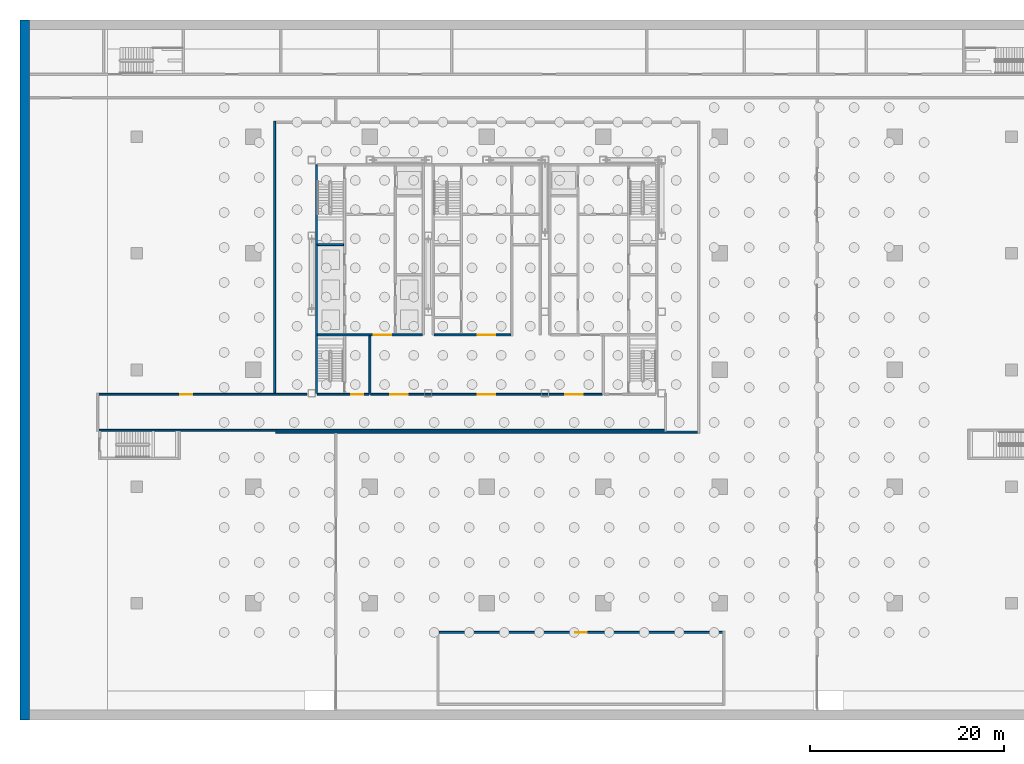
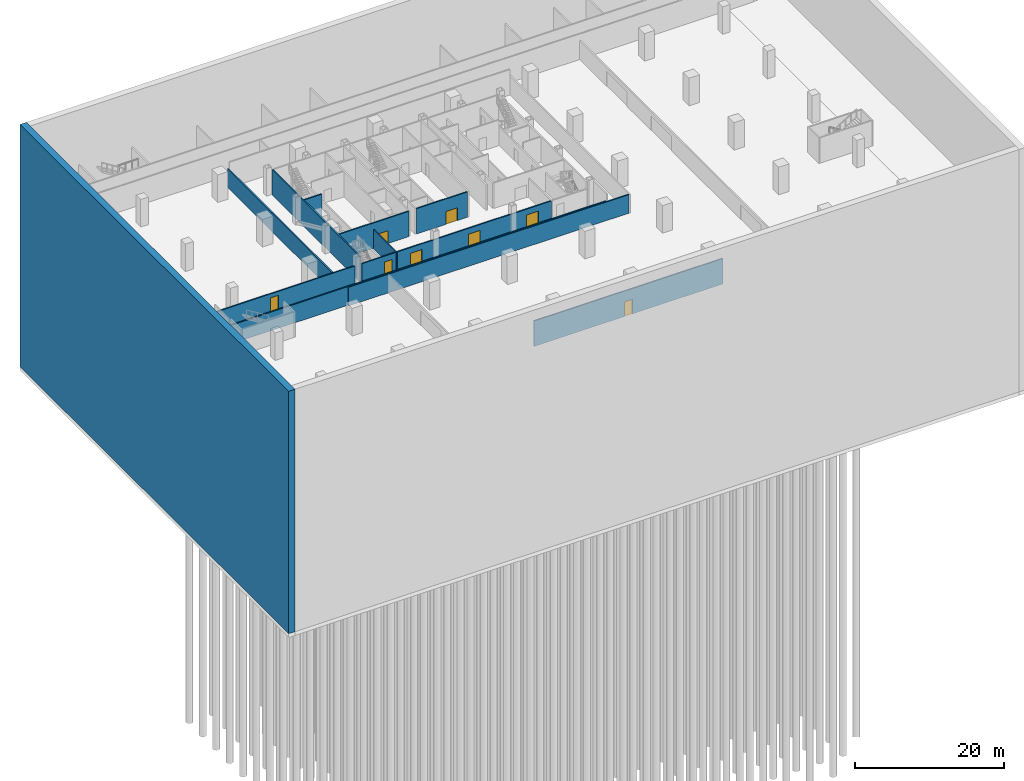
# One storey, part 6 of 18: 13 walls, 8 doors, 8 openings.
"""IFC4 building model written with IfcOpenShell, lengths in metres."""

import ifcopenshell
import ifcopenshell.guid

model = None  # the IFC model being written
_history = None  # IfcOwnerHistory: only IFC2X3 demands one
_inside = {}  # id of a spatial element -> (the spatial element, [elements in it])
_under = {}  # id of a project, library or spatial element -> (it, [spatial elements below it])
_declared = {}  # id of a project -> (the project, [libraries it declares])
_typed = {}  # id of a type object -> (the type object, [elements of that type])
_made_of = {}  # id of a material, layer set ... -> (it, [elements and type objects made of it])


def new_model(schema):
    """Start an empty IFC model of exactly this schema.

    Asked for "IFC4X3", IfcOpenShell would pick the latest addendum, in which some entities
    have other attributes; the version numbers below select the first issue.
    IFC2X3 requires an IfcOwnerHistory on every rooted entity: one is made here for all.
    """
    global model, _history
    if schema == "IFC4X3":
        model = ifcopenshell.file(schema_version=(4, 3, 0, 0))
    else:
        model = ifcopenshell.file(schema=schema)
    _inside.clear()
    _under.clear()
    _declared.clear()
    _typed.clear()
    _made_of.clear()
    _history = None
    if model.schema == "IFC2X3":
        org = make("IfcOrganization", Name="unknown")
        user = make(
            "IfcPersonAndOrganization",
            ThePerson=make("IfcPerson", FamilyName="unknown"),
            TheOrganization=org,
        )
        app = make(
            "IfcApplication",
            ApplicationDeveloper=org,
            Version="unknown",
            ApplicationFullName="unknown",
            ApplicationIdentifier="unknown",
        )
        _history = make(
            "IfcOwnerHistory",
            OwningUser=user,
            OwningApplication=app,
            ChangeAction="ADDED",
            CreationDate=0,
        )
    return model


def make(cls, **values):
    """One entity of the class cls with the attributes given. An attribute that is None is left unset."""
    return model.create_entity(
        cls, **{name: value for name, value in values.items() if value is not None}
    )


def rooted(cls, **values):
    """An entity with a GlobalId (a new one), such as an element, a storey or a relation."""
    return make(cls, GlobalId=ifcopenshell.guid.new(), OwnerHistory=_history, **values)


def si_unit(unit_type, name, prefix=None):
    """IfcSIUnit, for example si_unit("LENGTHUNIT", "METRE", prefix="MILLI")."""
    return make("IfcSIUnit", UnitType=unit_type, Prefix=prefix, Name=name)


def assignment(units):
    """IfcUnitAssignment: the units of a project."""
    return None if units is None else make("IfcUnitAssignment", Units=units)


def point(xyz):
    """IfcCartesianPoint."""
    return None if xyz is None else make("IfcCartesianPoint", Coordinates=xyz)


def direction(xyz):
    """IfcDirection."""
    return None if xyz is None else make("IfcDirection", DirectionRatios=xyz)


def frame(location, z_axis=None, x_axis=None):
    """IfcAxis2Placement3D, a coordinate frame: its origin and axes. An axis left out is left unset."""
    return make(
        "IfcAxis2Placement3D",
        Location=point(location),
        Axis=direction(z_axis),
        RefDirection=direction(x_axis),
    )


def frame_2d(location, x_axis=None):
    """IfcAxis2Placement2D, a coordinate frame in the plane: its origin and x axis."""
    return make(
        "IfcAxis2Placement2D", Location=point(location), RefDirection=direction(x_axis)
    )


def origin():
    """The frame at (0, 0, 0) with its axes left unset."""
    return frame((0.0, 0.0, 0.0))


def place(relative_to, where):
    """IfcLocalPlacement: puts the frame where relative to a parent placement (None: the world)."""
    return make(
        "IfcLocalPlacement", PlacementRelTo=relative_to, RelativePlacement=where
    )


def context(
    kind, dimensions, precision=None, world=None, true_north=None, identifier=None
):
    """IfcGeometricRepresentationContext, for example the 3D "Model" context."""
    return make(
        "IfcGeometricRepresentationContext",
        ContextIdentifier=identifier,
        ContextType=kind,
        CoordinateSpaceDimension=dimensions,
        Precision=precision,
        WorldCoordinateSystem=world,
        TrueNorth=true_north,
    )


def subcontext(parent, identifier, kind, view, scale=None):
    """IfcGeometricRepresentationSubContext, for example "Body" below "Model"."""
    return make(
        "IfcGeometricRepresentationSubContext",
        ContextIdentifier=identifier,
        ContextType=kind,
        ParentContext=parent,
        TargetScale=scale,
        TargetView=view,
    )


def project(units=None, contexts=None):
    """IfcProject with its units and contexts."""
    return rooted(
        "IfcProject",
        Name="project",
        RepresentationContexts=contexts,
        UnitsInContext=assignment(units),
    )


def spatial(cls, under=None, at=None, **own):
    """A site, building, storey or space (cls), placed at a placement, below another one or the project."""
    s = rooted(cls, ObjectPlacement=at, **own)
    if under is not None:
        _under.setdefault(under.id(), (under, []))[1].append(s)
    return s


def profile(cls, at=None, kind="AREA", **sizes):
    """A parametric profile (cls). Its sizes go by their IFC names, for example OverallWidth=200.0."""
    return make(cls, ProfileType=kind, Position=at, **sizes)


def rectangle(**sizes):
    """IfcRectangleProfileDef."""
    return profile("IfcRectangleProfileDef", **sizes)


def extrude(swept, where, along, depth):
    """IfcExtrudedAreaSolid: the profile swept, set in the frame where, extruded along a direction by depth."""
    return make(
        "IfcExtrudedAreaSolid",
        SweptArea=swept,
        Position=where,
        ExtrudedDirection=direction(along),
        Depth=depth,
    )


def shape(context_of_items, identifier, shape_type, items):
    """IfcShapeRepresentation: the items that make up one representation, for example the "Body"."""
    return make(
        "IfcShapeRepresentation",
        ContextOfItems=context_of_items,
        RepresentationIdentifier=identifier,
        RepresentationType=shape_type,
        Items=items,
    )


def material(Name=None, Category=None):
    """IfcMaterial."""
    return make("IfcMaterial", Name=Name, Category=Category)


def layer(
    of_material, thickness, ventilated=None, Name=None, Category=None, Priority=None
):
    """IfcMaterialLayer: one layer of a wall or slab, of a material (None: an air gap)."""
    return make(
        "IfcMaterialLayer",
        Material=of_material,
        LayerThickness=thickness,
        IsVentilated=ventilated,
        Name=Name,
        Category=Category,
        Priority=Priority,
    )


def layer_set(layers, Name=None):
    """IfcMaterialLayerSet."""
    return make("IfcMaterialLayerSet", MaterialLayers=layers, LayerSetName=Name)


def made_of(thing, what):
    """Note that an element or type object is made of a material, layer set ...; save() writes the relation."""
    if what is not None:
        _made_of.setdefault(what.id(), (what, []))[1].append(thing)
    return thing


def type_object(cls, material=None, **own):
    """A type object (cls), such as IfcWallType, which elements share."""
    return made_of(rooted(cls, **own), material)


def element(
    cls,
    number,
    at=None,
    inside=None,
    cuts=None,
    type_object=None,
    material=None,
    context=None,
    identifier="Body",
    shape_type=None,
    held_by="IfcProductDefinitionShape",
    body=None,
    shapes=None,
    **own,
):
    """One element of the class cls, such as IfcWall. Its Tag is "e" and its number.

    at: its placement. inside: the storey or other place that contains it. cuts: it is an
    opening in that element (IfcRelVoidsElement). A single representation is given by context,
    identifier, shape_type and body (its items); several are given by shapes. held_by: the class
    of the entity that holds the representations. save() writes the other relations.
    """
    e = rooted(cls, Tag="e%d" % number, ObjectPlacement=at, **own)
    if body is not None:
        shapes = [shape(context, identifier, shape_type, body)]
    if shapes is not None:
        e.Representation = make(held_by, Representations=shapes)
    if inside is not None:
        _inside.setdefault(inside.id(), (inside, []))[1].append(e)
    if cuts is not None:
        rooted(
            "IfcRelVoidsElement", RelatingBuildingElement=cuts, RelatedOpeningElement=e
        )
    if type_object is not None:
        _typed.setdefault(type_object.id(), (type_object, []))[1].append(e)
    return made_of(e, material)


def fill(opening, filler):
    """IfcRelFillsElement: the door or window that sits in an opening."""
    return rooted(
        "IfcRelFillsElement",
        RelatingOpeningElement=opening,
        RelatedBuildingElement=filler,
    )


def aggregate(whole, parts):
    """IfcRelAggregates: a whole, such as a stair, and the parts it consists of."""
    return rooted("IfcRelAggregates", RelatingObject=whole, RelatedObjects=parts)


def save(model, path):
    """Write the relations noted so far, then the file.

    IfcRelAggregates (storeys below a building ...), IfcRelContainedInSpatialStructure (elements
    in a storey), IfcRelDefinesByType, IfcRelAssociatesMaterial and IfcRelDeclares: one each for
    every whole, place, type object, material and project.
    """
    for whole, parts in _under.values():
        aggregate(whole, parts)
    for where, things in _inside.values():
        rooted(
            "IfcRelContainedInSpatialStructure",
            RelatedElements=things,
            RelatingStructure=where,
        )
    for kind, things in _typed.values():
        rooted("IfcRelDefinesByType", RelatedObjects=things, RelatingType=kind)
    for what, things in _made_of.values():
        rooted("IfcRelAssociatesMaterial", RelatedObjects=things, RelatingMaterial=what)
    for by, libraries in _declared.values():
        rooted("IfcRelDeclares", RelatingContext=by, RelatedDefinitions=libraries)
    model.write(path)


model = new_model("IFC4")

# Units and contexts
model_context = context("Model", 3, precision=1e-05, world=origin(), true_north=direction((0.0, 1.0)))
body_context = subcontext(model_context, "Body", "Model", "MODEL_VIEW")
ifc_project = project(units=[si_unit("LENGTHUNIT", "METRE"), si_unit("AREAUNIT", "SQUARE_METRE"), si_unit("VOLUMEUNIT", "CUBIC_METRE"), si_unit("PLANEANGLEUNIT", "RADIAN"), si_unit("MASSUNIT", "GRAM", prefix="KILO")], contexts=[model_context])

# Site, building, storey
site_placement = place(None, origin())
site = spatial("IfcSite", under=ifc_project, at=site_placement, CompositionType="ELEMENT")
building_placement = place(site_placement, origin())
building = spatial("IfcBuilding", under=site, at=building_placement, Name="Sorahane Residences", CompositionType="ELEMENT")
storey_placement = place(building_placement, frame((0.0, 0.0, -13.5)))
storey = spatial("IfcBuildingStorey", under=building, at=storey_placement, Name="B3", CompositionType="ELEMENT", Elevation=-13.5)

# Walls
ifc_material_1 = material(Name="Concrete C30", Category="concrete")
ifc_layer_1 = layer(ifc_material_1, 0.199951171875)
ifc_layer_set_1 = layer_set([ifc_layer_1], Name="Core face wall 200 EI 180")
wall_type_1 = type_object("IfcWallType", Name="Core face wall 200 EI 180", PredefinedType="SOLIDWALL", material=ifc_layer_set_1)
wall_1_placement = place(storey_placement, frame((6.5, 21.60009765625, 0.0), z_axis=(0.0, 0.0, 1.0), x_axis=(0.0, 1.0, 0.0)))
element("IfcWall", 1, at=wall_1_placement, inside=storey, type_object=wall_type_1, Name="B3 core face wall", PredefinedType="SOLIDWALL", context=body_context, shape_type="SweptSolid", body=[
    extrude(rectangle(XDim=23.5, YDim=0.199951171875, at=frame_2d((11.75, 0.0))), origin(), (0.0, 0.0, 1.0), 4.14990234375),
])
ifc_material_2 = material(Name="Concrete C40", Category="concrete")
ifc_layer_2 = layer(ifc_material_2, 1.0)
ifc_layer_set_2 = layer_set([ifc_layer_2], Name="Diaphragm wall 1000 mm Concrete C40")
wall_type_2 = type_object("IfcWallType", Name="Diaphragm wall 1000 mm Concrete C40", PredefinedType="SOLIDWALL", material=ifc_layer_set_2)
wall_2_placement = place(storey_placement, frame((-23.5, -12.0, -26.5), z_axis=(0.0, 0.0, 1.0), x_axis=(0.0, 1.0, 0.0)))
element("IfcWall", 2, at=wall_2_placement, inside=storey, type_object=wall_type_2, Name="Diaphragm wall west", PredefinedType="SOLIDWALL", context=body_context, shape_type="SweptSolid", body=[
    extrude(rectangle(XDim=72.0, YDim=1.0, at=frame_2d((36.0, 0.0))), origin(), (0.0, 0.0, 1.0), 39.639892578125),
])
ifc_material_3 = material(Name="Concrete blockwork C20 wall", Category="masonry")
ifc_layer_3 = layer(ifc_material_3, 0.199951171875)
ifc_layer_set_3 = layer_set([ifc_layer_3], Name="Fire wall 200 EI 120")
wall_type_3 = type_object("IfcWallType", Name="Fire wall 200 EI 120", PredefinedType="SOLIDWALL", material=ifc_layer_set_3)
wall_3_placement = place(storey_placement, frame((2.199951171875, 21.60009765625, 0.0), z_axis=(0.0, 0.0, 1.0), x_axis=(0.0, 1.0, 0.0)))
element("IfcWall", 3, at=wall_3_placement, inside=storey, type_object=wall_type_3, Name="B3 fire wall", PredefinedType="SOLIDWALL", context=body_context, shape_type="SweptSolid", body=[
    extrude(rectangle(XDim=28.0, YDim=0.199951171875, at=frame_2d((14.0, 0.0))), origin(), (0.0, 0.0, 1.0), 3.050048828125),
])

# Wall, opening, door
wall_4_placement = place(storey_placement, frame((19.10009765625, -3.0, 0.0), z_axis=(0.0, 0.0, 1.0), x_axis=(1.0, 0.0, 0.0)))
wall_4 = element("IfcWall", 4, at=wall_4_placement, inside=storey, type_object=wall_type_3, Name="B3 fire wall", PredefinedType="SOLIDWALL", context=body_context, shape_type="SweptSolid", body=[
    extrude(rectangle(XDim=29.199951171875, YDim=0.199951171875, at=frame_2d((14.60009765625, 0.0))), origin(), (0.0, 0.0, 1.0), 4.14990234375),
])
opening_1_placement = place(wall_4_placement, frame((14.0, 0.0, 0.0)))
opening_1 = element("IfcOpeningElement", 5, at=opening_1_placement, cuts=wall_4, Name="Opening B3-16", PredefinedType="OPENING", context=body_context, shape_type="SweptSolid", body=[
    extrude(rectangle(XDim=1.199951171875, YDim=2.39990234375, at=frame_2d((0.60009765625, 1.199951171875))), frame((0.0, 0.10986328125, 0.0), z_axis=(0.0, -1.0, 0.0), x_axis=(1.0, 0.0, 0.0)), (0.0, 0.0, 1.0), 0.219970703125),
])
ifc_material_4 = material(Name="Steel", Category="steel")
door_type_1 = type_object("IfcDoorType", Name="Plant door 1200x2400 FD60", OperationType="NOTDEFINED", PredefinedType="DOOR", material=ifc_material_4)
door_1_placement = place(opening_1_placement, frame((1.199951171875, 0.0, 0.0), z_axis=(0.0, 0.0, 1.0), x_axis=(-1.0, 0.0, 0.0)))
door_1 = element("IfcDoor", 6, at=door_1_placement, inside=storey, type_object=door_type_1, Name="Plant door B3-16", OperationType="SINGLE_SWING_LEFT", OverallHeight=2.39990234375, OverallWidth=1.199951171875, PredefinedType="DOOR", context=body_context, shape_type="SweptSolid", body=[
    extrude(rectangle(XDim=1.199951171875, YDim=2.39990234375, at=frame_2d((0.60009765625, 1.199951171875))), frame((0.0, 0.02490234375, 0.0), z_axis=(0.0, -1.0, 0.0), x_axis=(1.0, 0.0, 0.0)), (0.0, 0.0, 1.0), 0.050048828125),
])
fill(opening_1, door_1)

# Wall
wall_5_placement = place(storey_placement, frame((2.300048828125, 17.60009765625, 0.0), z_axis=(0.0, 0.0, 1.0), x_axis=(1.0, 0.0, 0.0)))
element("IfcWall", 7, at=wall_5_placement, inside=storey, type_object=wall_type_3, Name="B3 fire wall", PredefinedType="SOLIDWALL", context=body_context, shape_type="SweptSolid", body=[
    extrude(rectangle(XDim=43.39990234375, YDim=0.199951171875, at=frame_2d((21.699951171875, 0.0))), origin(), (0.0, 0.0, 1.0), 3.050048828125),
])

# Wall, opening, door
wall_6_placement = place(storey_placement, frame((-15.89990234375, 21.5, 0.0), z_axis=(0.0, 0.0, 1.0), x_axis=(1.0, 0.0, 0.0)))
wall_6 = element("IfcWall", 8, at=wall_6_placement, inside=storey, type_object=wall_type_3, Name="B3 fire wall", PredefinedType="SOLIDWALL", context=body_context, shape_type="SweptSolid", body=[
    extrude(rectangle(XDim=21.39990234375, YDim=0.199951171875, at=frame_2d((10.699951171875, 0.0))), origin(), (0.0, 0.0, 1.0), 3.050048828125),
])
opening_2_placement = place(wall_6_placement, frame((8.39990234375, 0.0, 0.0)))
opening_2 = element("IfcOpeningElement", 9, at=opening_2_placement, cuts=wall_6, Name="Opening B3-13", PredefinedType="OPENING", context=body_context, shape_type="SweptSolid", body=[
    extrude(rectangle(XDim=1.199951171875, YDim=2.39990234375, at=frame_2d((0.60009765625, 1.199951171875))), frame((0.0, 0.10986328125, 0.0), z_axis=(0.0, -1.0, 0.0), x_axis=(1.0, 0.0, 0.0)), (0.0, 0.0, 1.0), 0.219970703125),
])
ifc_material_5 = material(Name="Steel", Category="steel")
door_type_2 = type_object("IfcDoorType", Name="Fire door 1200x2400 FD60", OperationType="NOTDEFINED", PredefinedType="DOOR", material=ifc_material_5)
door_2_placement = place(opening_2_placement, origin())
door_2 = element("IfcDoor", 10, at=door_2_placement, inside=storey, type_object=door_type_2, Name="Fire door B3-13", OperationType="SINGLE_SWING_LEFT", OverallHeight=2.39990234375, OverallWidth=1.199951171875, PredefinedType="DOOR", context=body_context, shape_type="SweptSolid", body=[
    extrude(rectangle(XDim=1.199951171875, YDim=2.39990234375, at=frame_2d((0.60009765625, 1.199951171875))), frame((0.0, 0.02490234375, 0.0), z_axis=(0.0, -1.0, 0.0), x_axis=(1.0, 0.0, 0.0)), (0.0, 0.0, 1.0), 0.050048828125),
])
fill(opening_2, door_2)

# Wall
ifc_material_6 = material(Name="Concrete C30", Category="concrete")
ifc_layer_4 = layer(ifc_material_6, 0.199951171875)
ifc_layer_set_4 = layer_set([ifc_layer_4], Name="Front room wall 200 EI 120")
wall_type_4 = type_object("IfcWallType", Name="Front room wall 200 EI 120", PredefinedType="PARTITIONING", material=ifc_layer_set_4)
wall_7_placement = place(storey_placement, frame((12.0, 21.5, 0.0), z_axis=(0.0, 0.0, 1.0), x_axis=(0.0, 1.0, 0.0)))
element("IfcWall", 11, at=wall_7_placement, inside=storey, type_object=wall_type_4, Name="B3 front room wall", PredefinedType="PARTITIONING", context=body_context, shape_type="SweptSolid", body=[
    extrude(rectangle(XDim=6.0, YDim=0.199951171875, at=frame_2d((3.0, 0.0))), origin(), (0.0, 0.0, 1.0), 3.050048828125),
])

# Wall, opening, door
ifc_material_7 = material(Name="Concrete C30", Category="concrete")
ifc_layer_5 = layer(ifc_material_7, 0.199951171875)
ifc_layer_set_5 = layer_set([ifc_layer_5], Name="Service room partition 200 EI 60")
wall_type_5 = type_object("IfcWallType", Name="Service room partition 200 EI 60", PredefinedType="PARTITIONING", material=ifc_layer_set_5)
wall_8_placement = place(storey_placement, frame((18.60009765625, 27.60009765625, 0.0), z_axis=(0.0, 0.0, 1.0), x_axis=(1.0, 0.0, 0.0)))
wall_8 = element("IfcWall", 12, at=wall_8_placement, inside=storey, type_object=wall_type_5, Name="B3 service room wall", PredefinedType="PARTITIONING", context=body_context, shape_type="SweptSolid", body=[
    extrude(rectangle(XDim=7.89990234375, YDim=0.199951171875, at=frame_2d((3.949951171875, 0.0))), origin(), (0.0, 0.0, 1.0), 4.14990234375),
])
opening_3_placement = place(wall_8_placement, frame((4.5, 0.0, 0.0)))
opening_3 = element("IfcOpeningElement", 13, at=opening_3_placement, cuts=wall_8, Name="Opening B3-C08", PredefinedType="OPENING", context=body_context, shape_type="SweptSolid", body=[
    extrude(rectangle(XDim=1.800048828125, YDim=2.10009765625, at=frame_2d((0.89990234375, 1.050048828125))), frame((0.0, 0.10986328125, 0.0), z_axis=(0.0, -1.0, 0.0), x_axis=(1.0, 0.0, 0.0)), (0.0, 0.0, 1.0), 0.219970703125),
])
ifc_material_8 = material(Name="Steel", Category="steel")
door_type_3 = type_object("IfcDoorType", Name="Waiting hall door 1800x2100 FD60", OperationType="NOTDEFINED", PredefinedType="DOOR", material=ifc_material_8)
door_3_placement = place(opening_3_placement, frame((1.800048828125, 0.0, 0.0), z_axis=(0.0, 0.0, 1.0), x_axis=(-1.0, 0.0, 0.0)))
door_3 = element("IfcDoor", 14, at=door_3_placement, inside=storey, type_object=door_type_3, Name="Waiting hall door Shuttle lobby B3", OperationType="SINGLE_SWING_LEFT", OverallHeight=2.10009765625, OverallWidth=1.800048828125, PredefinedType="DOOR", context=body_context, shape_type="SweptSolid", body=[
    extrude(rectangle(XDim=1.800048828125, YDim=2.10009765625, at=frame_2d((0.89990234375, 1.050048828125))), frame((0.0, 0.02490234375, 0.0), z_axis=(0.0, -1.0, 0.0), x_axis=(1.0, 0.0, 0.0)), (0.0, 0.0, 1.0), 0.050048828125),
])
fill(opening_3, door_3)

# Wall
ifc_material_9 = material(Name="Concrete C30", Category="concrete")
ifc_layer_6 = layer(ifc_material_9, 0.199951171875)
ifc_layer_set_6 = layer_set([ifc_layer_6], Name="Stair enclosure wall 200 EI 120")
wall_type_6 = type_object("IfcWallType", Name="Stair enclosure wall 200 EI 120", PredefinedType="SOLIDWALL", material=ifc_layer_set_6)
wall_9_placement = place(storey_placement, frame((-15.89990234375, 17.800048828125, 0.0), z_axis=(0.0, 0.0, 1.0), x_axis=(1.0, 0.0, 0.0)))
element("IfcWall", 15, at=wall_9_placement, inside=storey, type_object=wall_type_6, Name="B3 fire wall", PredefinedType="SOLIDWALL", context=body_context, shape_type="SweptSolid", body=[
    extrude(rectangle(XDim=58.199951171875, YDim=0.199951171875, at=frame_2d((29.10009765625, 0.0))), origin(), (0.0, 0.0, 1.0), 3.050048828125),
])

# Wall, opening, door
wall_10_placement = place(storey_placement, frame((6.60009765625, 21.5, 0.0), z_axis=(0.0, 0.0, 1.0), x_axis=(1.0, 0.0, 0.0)))
wall_10 = element("IfcWall", 16, at=wall_10_placement, inside=storey, type_object=wall_type_6, Name="B3 stair enclosure wall", PredefinedType="SOLIDWALL", context=body_context, shape_type="SweptSolid", body=[
    extrude(rectangle(XDim=5.2998046875, YDim=0.199951171875, at=frame_2d((2.64990234375, 0.0))), origin(), (0.0, 0.0, 1.0), 3.050048828125),
])
opening_4_placement = place(wall_10_placement, frame((3.5, 0.0, 0.0)))
opening_4 = element("IfcOpeningElement", 17, at=opening_4_placement, cuts=wall_10, Name="Opening B3-C04", PredefinedType="OPENING", context=body_context, shape_type="SweptSolid", body=[
    extrude(rectangle(XDim=1.199951171875, YDim=2.10009765625, at=frame_2d((0.60009765625, 1.050048828125))), frame((0.0, 0.10986328125, 0.0), z_axis=(0.0, -1.0, 0.0), x_axis=(1.0, 0.0, 0.0)), (0.0, 0.0, 1.0), 0.219970703125),
])
ifc_material_10 = material(Name="Steel", Category="steel")
door_type_4 = type_object("IfcDoorType", Name="Stair front room door 1200x2100 FD120", OperationType="NOTDEFINED", PredefinedType="DOOR", material=ifc_material_10)
door_4_placement = place(opening_4_placement, frame((1.199951171875, 0.0, 0.0), z_axis=(0.0, 0.0, 1.0), x_axis=(-1.0, 0.0, 0.0)))
door_4 = element("IfcDoor", 18, at=door_4_placement, inside=storey, type_object=door_type_4, Name="Stair front room door Stair S4 front room B3", OperationType="SINGLE_SWING_RIGHT", OverallHeight=2.10009765625, OverallWidth=1.199951171875, PredefinedType="DOOR", context=body_context, shape_type="SweptSolid", body=[
    extrude(rectangle(XDim=1.199951171875, YDim=2.10009765625, at=frame_2d((0.60009765625, 1.050048828125))), frame((0.0, 0.02490234375, 0.0), z_axis=(0.0, -1.0, 0.0), x_axis=(1.0, 0.0, 0.0)), (0.0, 0.0, 1.0), 0.050048828125),
])
fill(opening_4, door_4)

wall_11_placement = place(storey_placement, frame((6.60009765625, 27.60009765625, 0.0), z_axis=(0.0, 0.0, 1.0), x_axis=(1.0, 0.0, 0.0)))
wall_11 = element("IfcWall", 19, at=wall_11_placement, inside=storey, type_object=wall_type_6, Name="B3 stair enclosure wall", PredefinedType="SOLIDWALL", context=body_context, shape_type="SweptSolid", body=[
    extrude(rectangle(XDim=10.7998046875, YDim=0.199951171875, at=frame_2d((5.39990234375, 0.0))), origin(), (0.0, 0.0, 1.0), 4.14990234375),
])
opening_5_placement = place(wall_11_placement, frame((5.800048828125, 0.0, 0.0)))
opening_5 = element("IfcOpeningElement", 20, at=opening_5_placement, cuts=wall_11, Name="Opening B3-C06", PredefinedType="OPENING", context=body_context, shape_type="SweptSolid", body=[
    extrude(rectangle(XDim=1.800048828125, YDim=2.10009765625, at=frame_2d((0.89990234375, 1.050048828125))), frame((0.0, 0.10986328125, 0.0), z_axis=(0.0, -1.0, 0.0), x_axis=(1.0, 0.0, 0.0)), (0.0, 0.0, 1.0), 0.219970703125),
])
door_5_placement = place(opening_5_placement, frame((1.800048828125, 0.0, 0.0), z_axis=(0.0, 0.0, 1.0), x_axis=(-1.0, 0.0, 0.0)))
door_5 = element("IfcDoor", 21, at=door_5_placement, inside=storey, type_object=door_type_3, Name="Waiting hall door Low-rise lift lobby B3", OperationType="SINGLE_SWING_LEFT", OverallHeight=2.10009765625, OverallWidth=1.800048828125, PredefinedType="DOOR", context=body_context, shape_type="SweptSolid", body=[
    extrude(rectangle(XDim=1.800048828125, YDim=2.10009765625, at=frame_2d((0.89990234375, 1.050048828125))), frame((0.0, 0.02490234375, 0.0), z_axis=(0.0, -1.0, 0.0), x_axis=(1.0, 0.0, 0.0)), (0.0, 0.0, 1.0), 0.050048828125),
])
fill(opening_5, door_5)

# Wall
wall_12_placement = place(storey_placement, frame((6.60009765625, 36.89990234375, 0.0), z_axis=(0.0, 0.0, 1.0), x_axis=(1.0, 0.0, 0.0)))
element("IfcWall", 22, at=wall_12_placement, inside=storey, type_object=wall_type_6, Name="B3 stair enclosure wall", PredefinedType="SOLIDWALL", context=body_context, shape_type="SweptSolid", body=[
    extrude(rectangle(XDim=2.699951171875, YDim=0.199951171875, at=frame_2d((1.35009765625, 0.0))), origin(), (0.0, 0.0, 1.0), 4.14990234375),
])

# Wall, openings, doors
ifc_material_11 = material(Name="Concrete C30", Category="concrete")
ifc_layer_7 = layer(ifc_material_11, 0.199951171875)
ifc_layer_set_7 = layer_set([ifc_layer_7], Name="Waiting hall wall 200 EI 120")
wall_type_7 = type_object("IfcWallType", Name="Waiting hall wall 200 EI 120", PredefinedType="SOLIDWALL", material=ifc_layer_set_7)
wall_13_placement = place(storey_placement, frame((12.10009765625, 21.5, 0.0), z_axis=(0.0, 0.0, 1.0), x_axis=(1.0, 0.0, 0.0)))
wall_13 = element("IfcWall", 23, at=wall_13_placement, inside=storey, type_object=wall_type_7, Name="B3 waiting hall wall", PredefinedType="SOLIDWALL", context=body_context, shape_type="SweptSolid", body=[
    extrude(rectangle(XDim=23.7998046875, YDim=0.199951171875, at=frame_2d((11.89990234375, 0.0))), origin(), (0.0, 0.0, 1.0), 3.050048828125),
])
opening_6_placement = place(wall_13_placement, frame((2.0, 0.0, 0.0)))
opening_6 = element("IfcOpeningElement", 24, at=opening_6_placement, cuts=wall_13, Name="Opening B3-C01", PredefinedType="OPENING", context=body_context, shape_type="SweptSolid", body=[
    extrude(rectangle(XDim=1.800048828125, YDim=2.10009765625, at=frame_2d((0.89990234375, 1.050048828125))), frame((0.0, 0.10986328125, 0.0), z_axis=(0.0, -1.0, 0.0), x_axis=(1.0, 0.0, 0.0)), (0.0, 0.0, 1.0), 0.219970703125),
])
opening_7_placement = place(wall_13_placement, frame((11.0, 0.0, 0.0)))
opening_7 = element("IfcOpeningElement", 25, at=opening_7_placement, cuts=wall_13, Name="Opening B3-C02", PredefinedType="OPENING", context=body_context, shape_type="SweptSolid", body=[
    extrude(rectangle(XDim=1.800048828125, YDim=2.10009765625, at=frame_2d((0.89990234375, 1.050048828125))), frame((0.0, 0.10986328125, 0.0), z_axis=(0.0, -1.0, 0.0), x_axis=(1.0, 0.0, 0.0)), (0.0, 0.0, 1.0), 0.219970703125),
])
opening_8_placement = place(wall_13_placement, frame((20.0, 0.0, 0.0)))
opening_8 = element("IfcOpeningElement", 26, at=opening_8_placement, cuts=wall_13, Name="Opening B3-C03", PredefinedType="OPENING", context=body_context, shape_type="SweptSolid", body=[
    extrude(rectangle(XDim=1.800048828125, YDim=2.10009765625, at=frame_2d((0.89990234375, 1.050048828125))), frame((0.0, 0.10986328125, 0.0), z_axis=(0.0, -1.0, 0.0), x_axis=(1.0, 0.0, 0.0)), (0.0, 0.0, 1.0), 0.219970703125),
])
door_6_placement = place(opening_6_placement, frame((1.800048828125, 0.0, 0.0), z_axis=(0.0, 0.0, 1.0), x_axis=(-1.0, 0.0, 0.0)))
door_6 = element("IfcDoor", 27, at=door_6_placement, inside=storey, type_object=door_type_3, Name="Waiting hall door Residents' waiting hall B3", OperationType="SINGLE_SWING_RIGHT", OverallHeight=2.10009765625, OverallWidth=1.800048828125, PredefinedType="DOOR", context=body_context, shape_type="SweptSolid", body=[
    extrude(rectangle(XDim=1.800048828125, YDim=2.10009765625, at=frame_2d((0.89990234375, 1.050048828125))), frame((0.0, 0.02490234375, 0.0), z_axis=(0.0, -1.0, 0.0), x_axis=(1.0, 0.0, 0.0)), (0.0, 0.0, 1.0), 0.050048828125),
])
fill(opening_6, door_6)
door_7_placement = place(opening_7_placement, frame((1.800048828125, 0.0, 0.0), z_axis=(0.0, 0.0, 1.0), x_axis=(-1.0, 0.0, 0.0)))
door_7 = element("IfcDoor", 28, at=door_7_placement, inside=storey, type_object=door_type_3, Name="Waiting hall door Residents' waiting hall B3", OperationType="SINGLE_SWING_RIGHT", OverallHeight=2.10009765625, OverallWidth=1.800048828125, PredefinedType="DOOR", context=body_context, shape_type="SweptSolid", body=[
    extrude(rectangle(XDim=1.800048828125, YDim=2.10009765625, at=frame_2d((0.89990234375, 1.050048828125))), frame((0.0, 0.02490234375, 0.0), z_axis=(0.0, -1.0, 0.0), x_axis=(1.0, 0.0, 0.0)), (0.0, 0.0, 1.0), 0.050048828125),
])
fill(opening_7, door_7)
door_8_placement = place(opening_8_placement, frame((1.800048828125, 0.0, 0.0), z_axis=(0.0, 0.0, 1.0), x_axis=(-1.0, 0.0, 0.0)))
door_8 = element("IfcDoor", 29, at=door_8_placement, inside=storey, type_object=door_type_3, Name="Waiting hall door Residents' waiting hall B3", OperationType="SINGLE_SWING_RIGHT", OverallHeight=2.10009765625, OverallWidth=1.800048828125, PredefinedType="DOOR", context=body_context, shape_type="SweptSolid", body=[
    extrude(rectangle(XDim=1.800048828125, YDim=2.10009765625, at=frame_2d((0.89990234375, 1.050048828125))), frame((0.0, 0.02490234375, 0.0), z_axis=(0.0, -1.0, 0.0), x_axis=(1.0, 0.0, 0.0)), (0.0, 0.0, 1.0), 0.050048828125),
])
fill(opening_8, door_8)

save(model, "model.ifc")
